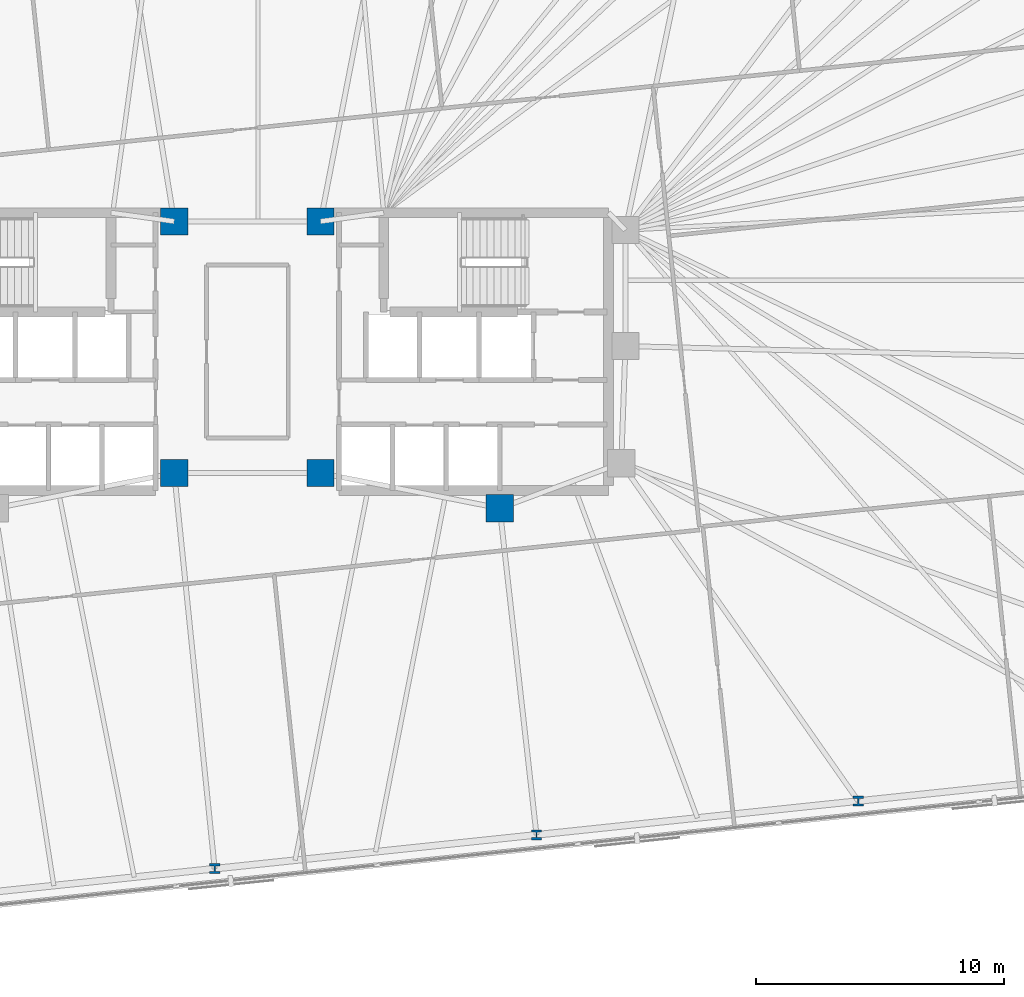
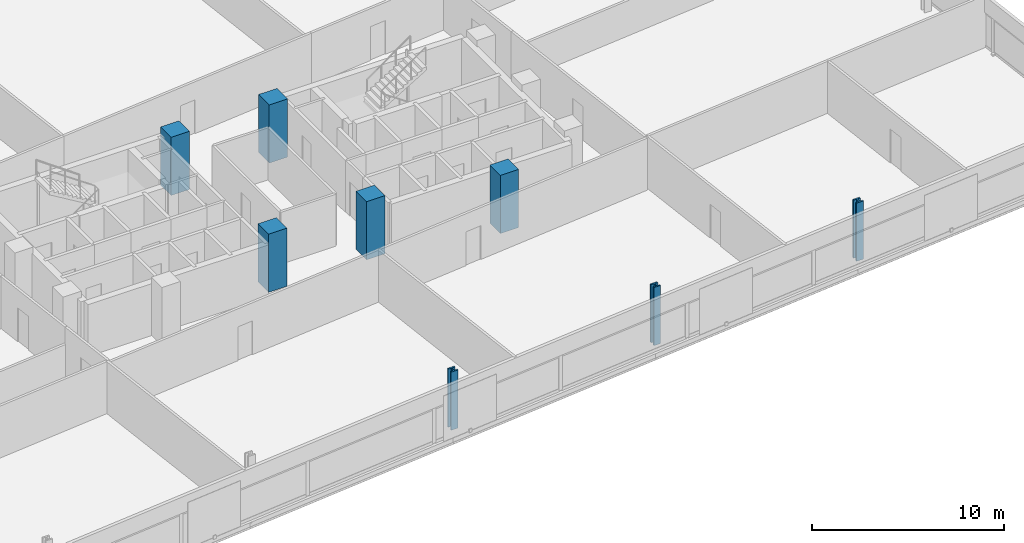
# One storey, part 3 of 18: 8 columns.
"""IFC4 building model written with IfcOpenShell, lengths in metres."""

from ifc_helpers import new_model, si_unit, direction, frame, origin, origin_2d, place, context, subcontext, project, spatial, rectangle, i_section, extrude, material, material_profile, profile_set, type_object, element, save


model = new_model("IFC4")

# Units and contexts
model_context = context("Model", 3, precision=1e-05, world=origin(), true_north=direction((0.0, 1.0)))
body_context = subcontext(model_context, "Body", "Model", "MODEL_VIEW")
ifc_project = project(units=[si_unit("LENGTHUNIT", "METRE"), si_unit("AREAUNIT", "SQUARE_METRE"), si_unit("VOLUMEUNIT", "CUBIC_METRE"), si_unit("PLANEANGLEUNIT", "RADIAN"), si_unit("MASSUNIT", "GRAM", prefix="KILO")], contexts=[model_context])

# Site, building, storey
site_placement = place(None, origin())
site = spatial("IfcSite", under=ifc_project, at=site_placement, CompositionType="ELEMENT")
building_placement = place(site_placement, origin())
building = spatial("IfcBuilding", under=site, at=building_placement, Name="Menara Jurai Vektor", CompositionType="ELEMENT")
storey_placement = place(building_placement, frame((0.0, 0.0, 139.199951171875)))
storey = spatial("IfcBuildingStorey", under=building, at=storey_placement, Name="L35", CompositionType="ELEMENT", Elevation=139.199951171875)

# Columns
ifc_material_1 = material(Name="Concrete C50/60", Category="concrete")
ifc_material_profile_1 = material_profile(ifc_material_1, rectangle(XDim=1.10009765625, YDim=1.10009765625, at=origin_2d()), Name="RC 1100x1100")
ifc_profile_set_1 = profile_set([ifc_material_profile_1], Name="Concrete C50/60")
column_type_1 = type_object("IfcColumnType", Name="STR-COL-RC1100", PredefinedType="COLUMN", material=ifc_profile_set_1)
for number, where, z_axis, x_axis, name in (
    (1, (-2.949951171875, -4.89990234375, 0.0), (0.0, 0.0, 1.0), (1.0, 0.0, 0.0), "Core Spine Column CW-SE L35"),
    (2, (-2.949951171875, 5.25, 0.0), (0.0, 0.0, 1.0), (1.0, 0.0, 0.0), "Core Spine Column CW-NE L35"),
    (3, (10.179931640625, -6.320068359375, 0.0), (0.0, 0.0, 1.0), (1.0, 0.0, 0.0), "Core Spine Column CE-SM L35"),
    (4, (2.949951171875, -4.89990234375, 0.0), (0.0, 0.0, 1.0), (1.0, 0.0, 0.0), "Core Spine Column CE-SW L35"),
    (5, (2.949951171875, 5.25, 0.0), (0.0, 0.0, 1.0), (1.0, 0.0, 0.0), "Core Spine Column CE-NW L35"),
):
    element("IfcColumn", number, at=place(storey_placement, frame(where, z_axis=z_axis, x_axis=x_axis)), inside=storey, type_object=column_type_1, Name=name, PredefinedType="COLUMN", context=body_context, shape_type="SweptSolid", body=[
        extrude(rectangle(XDim=1.10009765625, YDim=1.10009765625, at=origin_2d()), origin(), (0.0, 0.0, 1.0), 3.699951171875),
    ])
ifc_material_2 = material(Name="Steel S460", Category="steel")
ifc_material_profile_2 = material_profile(ifc_material_2, i_section(OverallWidth=0.4130859375, OverallDepth=0.39794921875, WebThickness=0.055908203125, FlangeThickness=0.089111328125, FilletRadius=0.014892578125, at=origin_2d()), Name="HD 400x744")
ifc_profile_set_2 = profile_set([ifc_material_profile_2], Name="Steel S460")
column_type_2 = type_object("IfcColumnType", Name="STR-EXO-BLK2", PredefinedType="COLUMN", material=ifc_profile_set_2)
for number, where, z_axis, x_axis, name in (
    (6, (-1.317138671875, -20.857666015625, 0.0), (0.0, 0.0, 1.0), (1.0, 0.0, 0.0), "Exoskeleton Column BLK2-S3 L35"),
    (7, (11.66259765625, -19.49365234375, 0.0), (0.0, 0.0, 1.0), (1.0, 0.0, 0.0), "Exoskeleton Column BLK2-S4 L35"),
    (8, (24.642333984375, -18.12939453125, 0.0), (0.0, 0.0, 1.0), (1.0, 0.0, 0.0), "Exoskeleton Column BLK2-S5 L35"),
):
    element("IfcColumn", number, at=place(storey_placement, frame(where, z_axis=z_axis, x_axis=x_axis)), inside=storey, type_object=column_type_2, Name=name, PredefinedType="COLUMN", context=body_context, shape_type="SweptSolid", body=[
        extrude(i_section(OverallWidth=0.4130859375, OverallDepth=0.39794921875, WebThickness=0.055908203125, FlangeThickness=0.089111328125, FilletRadius=0.014892578125, at=origin_2d()), origin(), (0.0, 0.0, 1.0), 3.699951171875),
    ])

save(model, "model.ifc")
